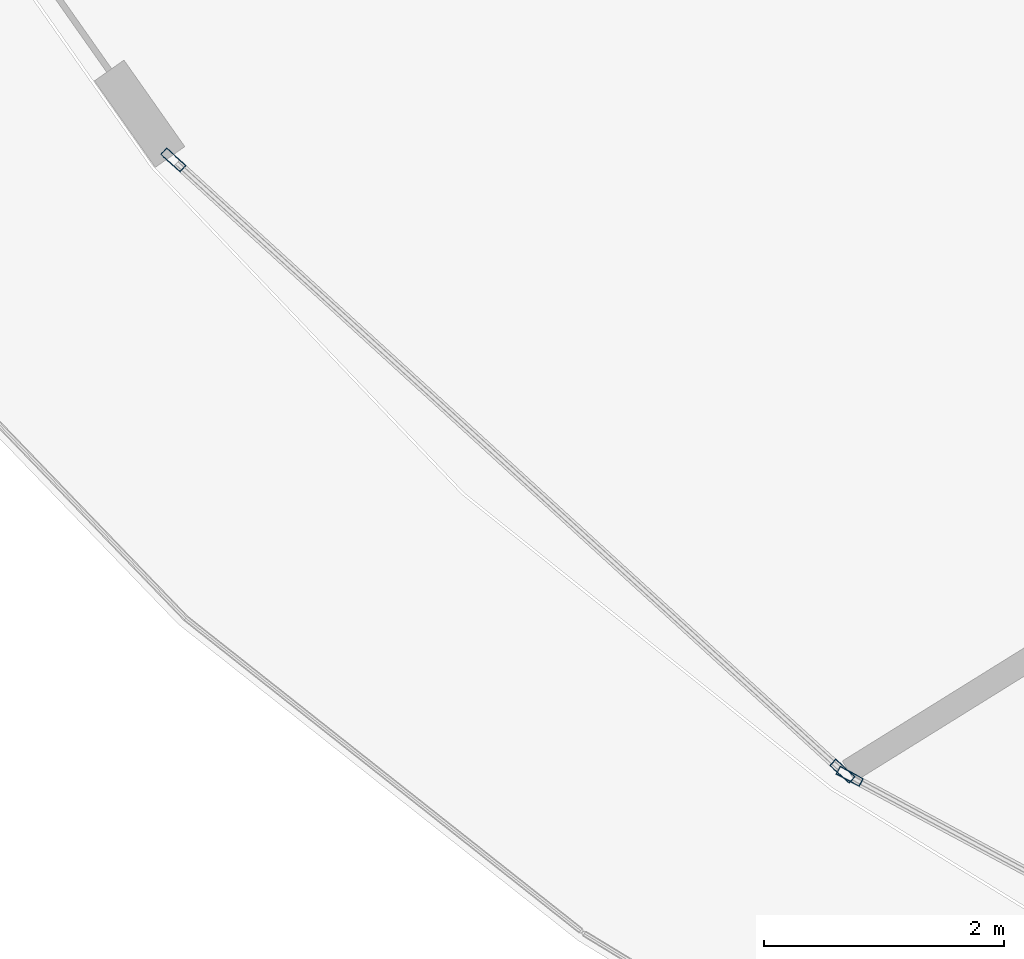
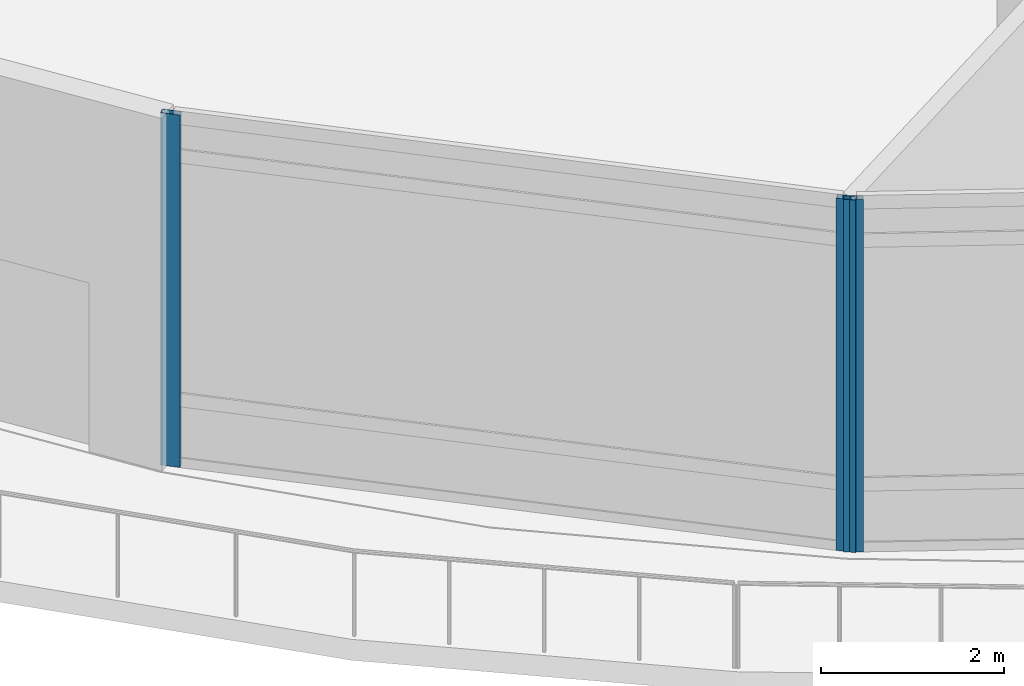
# One storey, part 2 of 36: 3 members, 2 elements without a shape of their own.
"""IFC4 building model written with IfcOpenShell, lengths in metres."""

from ifc_helpers import new_model, si_unit, direction, frame, origin, origin_2d, place, context, subcontext, project, spatial, hollow_rectangle, extrude, material, layer, layer_set, material_profile, profile_set, type_object, element, aggregate, save


model = new_model("IFC4")

# Units and contexts
model_context = context("Model", 3, precision=1e-05, world=origin(), true_north=direction((0.0, 1.0)))
body_context = subcontext(model_context, "Body", "Model", "MODEL_VIEW")
ifc_project = project(units=[si_unit("LENGTHUNIT", "METRE"), si_unit("AREAUNIT", "SQUARE_METRE"), si_unit("VOLUMEUNIT", "CUBIC_METRE"), si_unit("PLANEANGLEUNIT", "RADIAN"), si_unit("MASSUNIT", "GRAM", prefix="KILO")], contexts=[model_context])

# Site, building, storey
site_placement = place(None, origin())
site = spatial("IfcSite", under=ifc_project, at=site_placement, CompositionType="ELEMENT")
building_placement = place(site_placement, origin())
building = spatial("IfcBuilding", under=site, at=building_placement, Name="Nuhasar Tower", CompositionType="ELEMENT")
storey_placement = place(building_placement, frame((0.0, 0.0, 11.0)))
storey = spatial("IfcBuildingStorey", under=building, at=storey_placement, Name="L02", CompositionType="ELEMENT", Elevation=11.0)

# Curtain wall, members
ifc_material = material(Name="Aluminium 6063-T6", Category="aluminium")
ifc_layer = layer(ifc_material, 0.219970703125)
ifc_layer_set = layer_set([ifc_layer], Name="Aluminium 6063-T6")
curtain_wall_type = type_object("IfcCurtainWallType", Name="CW-PODIUM", PredefinedType="NOTDEFINED", material=ifc_layer_set)
curtain_wall_1_placement = place(storey_placement, origin())
curtain_wall_1 = element("IfcCurtainWall", 1, at=curtain_wall_1_placement, inside=storey, type_object=curtain_wall_type, Name="L02 Podium Curtain Wall Bay 15", PredefinedType="NOTDEFINED")
ifc_material_profile = material_profile(ifc_material, hollow_rectangle(XDim=0.074951171875, YDim=0.219970703125, WallThickness=0.0048828125, at=origin_2d()), Name="CWM-1")
ifc_profile_set = profile_set([ifc_material_profile], Name="Aluminium 6063-T6")
member_type = type_object("IfcMemberType", Name="CW-MUL-S1", PredefinedType="MULLION", material=ifc_profile_set)
member_1_placement = place(storey_placement, frame((8.335693359375, 14.354736328125, 0.0), z_axis=(0.0, 0.0, 1.0), x_axis=(0.674465166517, 0.738306670127, 0.0)))
member_1 = element("IfcMember", 2, at=member_1_placement, type_object=member_type, Name="CW-P1 mullion 1", PredefinedType="MULLION", context=body_context, shape_type="SweptSolid", body=[
    extrude(hollow_rectangle(XDim=0.074951171875, YDim=0.219970703125, WallThickness=0.0048828125, at=origin_2d()), origin(), (0.0, 0.0, 1.0), 4.699951171875),
])
member_2_placement = place(storey_placement, frame((13.912353515625, 9.26025390625, 0.0), z_axis=(0.0, 0.0, 1.0), x_axis=(0.674465166517, 0.738306670127, 0.0)))
member_2 = element("IfcMember", 3, at=member_2_placement, type_object=member_type, Name="CW-P1 mullion 2", PredefinedType="MULLION", context=body_context, shape_type="SweptSolid", body=[
    extrude(hollow_rectangle(XDim=0.074951171875, YDim=0.219970703125, WallThickness=0.0048828125, at=origin_2d()), origin(), (0.0, 0.0, 1.0), 4.699951171875),
])
aggregate(curtain_wall_1, [member_1, member_2])

# Curtain wall, member
curtain_wall_2_placement = place(storey_placement, origin())
curtain_wall_2 = element("IfcCurtainWall", 4, at=curtain_wall_2_placement, inside=storey, type_object=curtain_wall_type, Name="L02 Podium Curtain Wall Bay 16", PredefinedType="NOTDEFINED")
member_3_placement = place(storey_placement, frame((13.97314453125, 9.21728515625, 0.0), z_axis=(0.0, 0.0, 1.0), x_axis=(0.473606022453, 0.880736813978, 0.0)))
member_3 = element("IfcMember", 5, at=member_3_placement, type_object=member_type, Name="CW-P1 mullion 1", PredefinedType="MULLION", context=body_context, shape_type="SweptSolid", body=[
    extrude(hollow_rectangle(XDim=0.074951171875, YDim=0.219970703125, WallThickness=0.0048828125, at=origin_2d()), origin(), (0.0, 0.0, 1.0), 4.699951171875),
])
aggregate(curtain_wall_2, [member_3])

save(model, "model.ifc")
